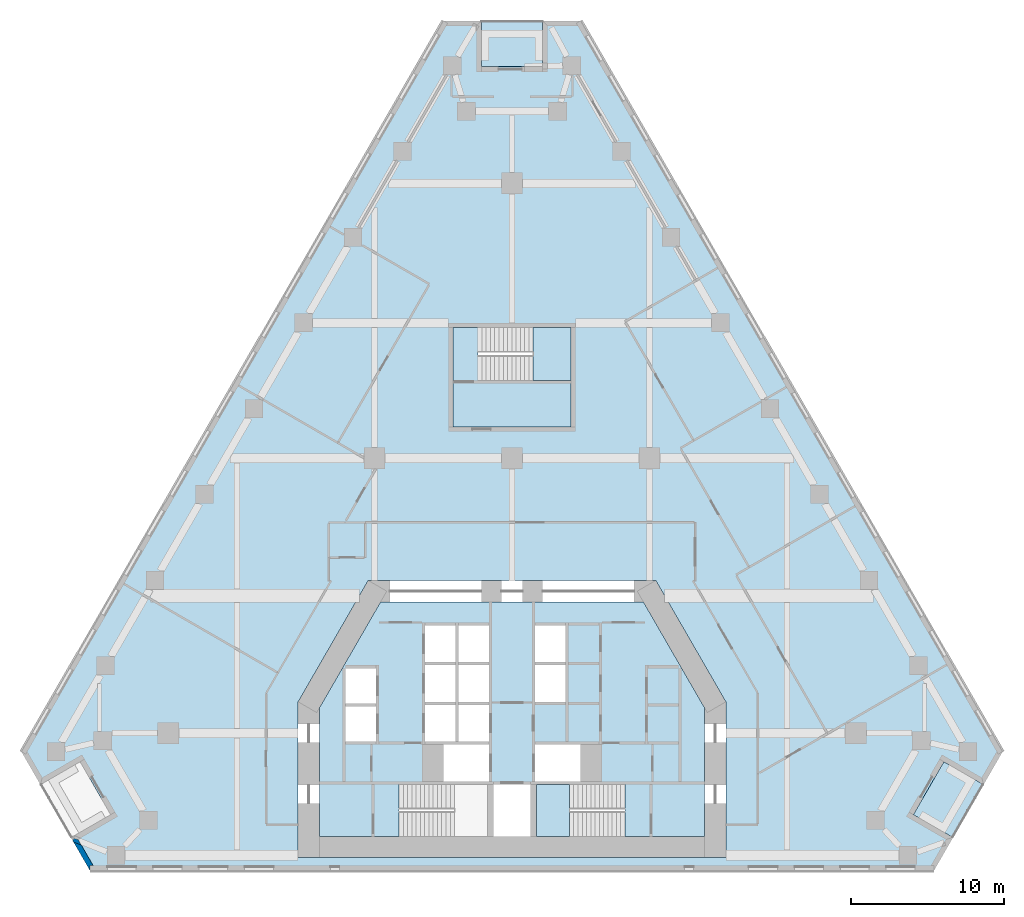
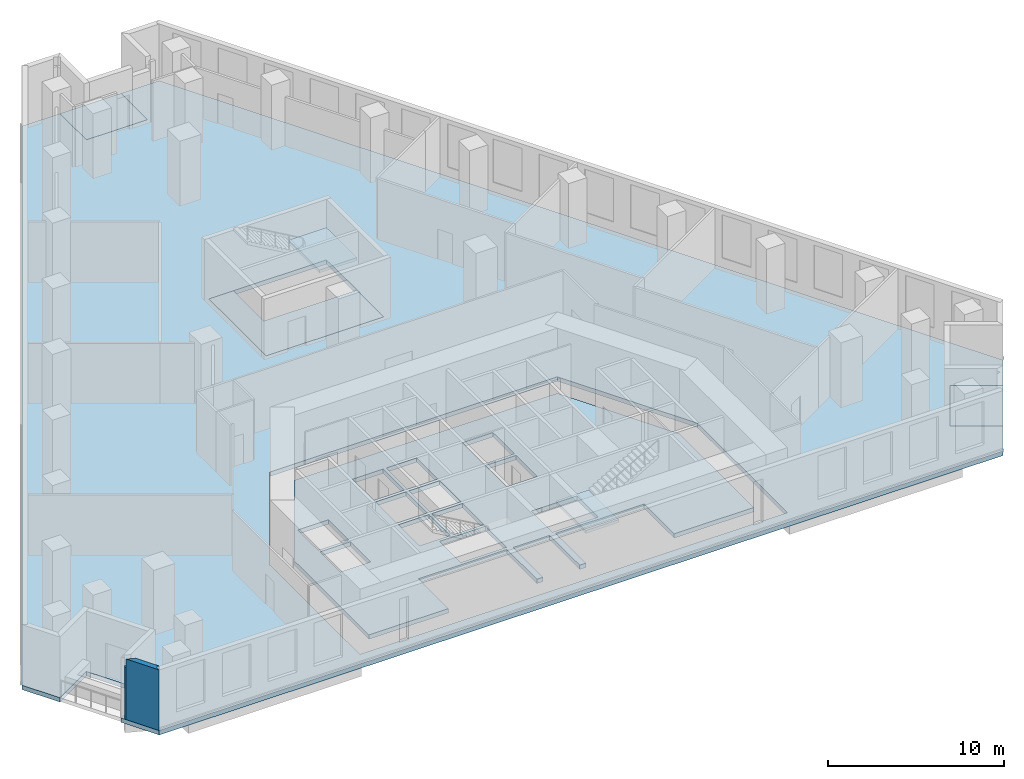
# One storey, part 2 of 10: 7 slabs, 2 walls, 2 elements without a shape of their own.
"""IFC4 building model written with IfcOpenShell, lengths in metres."""

from ifc_helpers import new_model, si_unit, direction, frame, origin, place, context, subcontext, project, spatial, polyline, outline, extrude, material, layer, layer_set, type_object, element, aggregate, save


model = new_model("IFC4")

# Units and contexts
model_context = context("Model", 3, precision=1e-05, world=origin(), true_north=direction((0.0, 1.0)))
body_context = subcontext(model_context, "Body", "Model", "MODEL_VIEW")
ifc_project = project(units=[si_unit("LENGTHUNIT", "METRE"), si_unit("AREAUNIT", "SQUARE_METRE"), si_unit("VOLUMEUNIT", "CUBIC_METRE"), si_unit("PLANEANGLEUNIT", "RADIAN"), si_unit("MASSUNIT", "GRAM", prefix="KILO")], contexts=[model_context])

# Site, building, storey
site_placement = place(None, origin())
site = spatial("IfcSite", under=ifc_project, at=site_placement, CompositionType="ELEMENT")
building_placement = place(site_placement, origin())
building = spatial("IfcBuilding", under=site, at=building_placement, Name="Fogline Exchange Tower", CompositionType="ELEMENT")
storey_placement = place(building_placement, frame((0.0, 0.0, 43.0)))
storey = spatial("IfcBuildingStorey", under=building, at=storey_placement, Name="L08", CompositionType="ELEMENT", Elevation=43.0)

# Slabs
ifc_material_1 = material(Name="Concrete C40", Category="concrete")
ifc_layer_1 = layer(ifc_material_1, 0.25)
ifc_layer_set_1 = layer_set([ifc_layer_1], Name="DK1")
slab_type_1 = type_object("IfcSlabType", Name="DK1", PredefinedType="FLOOR", material=ifc_layer_set_1)
slab_1_placement = place(storey_placement, frame((0.0, 0.0, -0.25)))
element("IfcSlab", 1, at=slab_1_placement, inside=storey, type_object=slab_type_1, Name="Balcony L08 SE", PredefinedType="FLOOR", context=body_context, shape_type="SweptSolid", body=[
    extrude(outline(polyline([(28.877685546875, 2.1650390625), (30.877685546875, 5.629150390625), (28.279541015625, 7.129150390625), (26.279541015625, 3.6650390625), (28.877685546875, 2.1650390625)])), origin(), (0.0, 0.0, 1.0), 0.25),
])
slab_2_placement = place(storey_placement, frame((0.0, 0.0, -0.25)))
element("IfcSlab", 2, at=slab_2_placement, inside=storey, type_object=slab_type_1, Name="Balcony L08 N", PredefinedType="FLOOR", context=body_context, shape_type="SweptSolid", body=[
    extrude(outline(polyline([(2.0, 55.646728515625), (-2.0, 55.646728515625), (-2.0, 52.646728515625), (2.0, 52.646728515625), (2.0, 55.646728515625)])), origin(), (0.0, 0.0, 1.0), 0.25),
])
ifc_layer_2 = layer(ifc_material_1, 0.300048828125)
ifc_layer_set_2 = layer_set([ifc_layer_2], Name="S04")
slab_type_2 = type_object("IfcSlabType", Name="S04", PredefinedType="FLOOR", material=ifc_layer_set_2)
slab_3_placement = place(storey_placement, frame((0.0, 0.0, -0.300048828125)))
element("IfcSlab", 3, at=slab_3_placement, inside=storey, type_object=slab_type_2, Name="SLAB L08", PredefinedType="FLOOR", context=body_context, shape_type="SweptSolid", body=[
    extrude(outline(polyline([(-2.0, 55.646728515625), (-4.5, 55.646728515625), (-32.127685546875, 7.794189453125), (-30.877685546875, 5.629150390625), (-28.279541015625, 7.129150390625), (-26.279541015625, 3.6650390625), (-28.877685546875, 2.1650390625), (-27.627685546875, 0.0), (27.627685546875, 0.0), (28.877685546875, 2.1650390625), (26.279541015625, 3.6650390625), (28.279541015625, 7.129150390625), (30.877685546875, 5.629150390625), (32.127685546875, 7.794189453125), (4.5, 55.646728515625), (2.0, 55.646728515625), (2.0, 52.646728515625), (-2.0, 52.646728515625), (-2.0, 55.646728515625)]), holes=[polyline([(14.0, 11.052490234375), (14.0, 0.85009765625), (-14.0, 0.85009765625), (-14.0, 11.052490234375), (-9.41162109375, 19.0), (9.41162109375, 19.0), (14.0, 11.052490234375)]), polyline([(3.85009765625, 35.556884765625), (3.85009765625, 29.056884765625), (-3.85009765625, 29.056884765625), (-3.85009765625, 35.556884765625), (3.85009765625, 35.556884765625)])]), origin(), (0.0, 0.0, 1.0), 0.300048828125),
])
slab_4_placement = place(storey_placement, frame((0.0, 0.0, -0.300048828125)))
element("IfcSlab", 4, at=slab_4_placement, inside=storey, type_object=slab_type_2, Name="Core floor slab", PredefinedType="FLOOR", context=body_context, shape_type="SweptSolid", body=[
    extrude(outline(polyline([(-12.60009765625, 2.25), (-12.60009765625, 10.677490234375), (-8.603271484375, 17.60009765625), (8.603271484375, 17.60009765625), (12.60009765625, 10.677490234375), (12.60009765625, 2.25), (7.389892578125, 2.25), (7.389892578125, 5.64990234375), (1.60009765625, 5.64990234375), (1.60009765625, 2.25), (1.199951171875, 2.25), (1.199951171875, 5.64990234375), (-1.199951171875, 5.64990234375), (-1.199951171875, 2.25), (-1.60009765625, 2.25), (-1.60009765625, 5.64990234375), (-7.389892578125, 5.64990234375), (-7.389892578125, 2.25), (-12.60009765625, 2.25)]), holes=[polyline([(-1.5, 8.25), (-4.5, 8.25), (-4.5, 5.85009765625), (-1.5, 5.85009765625), (-1.5, 8.25)]), polyline([(-8.89990234375, 10.75), (-10.89990234375, 10.75), (-10.89990234375, 8.449951171875), (-8.89990234375, 8.449951171875), (-8.89990234375, 10.75)]), polyline([(-3.699951171875, 10.85009765625), (-5.699951171875, 10.85009765625), (-5.699951171875, 8.449951171875), (-3.699951171875, 8.449951171875), (-3.699951171875, 10.85009765625)]), polyline([(-1.5, 10.85009765625), (-3.5, 10.85009765625), (-3.5, 8.449951171875), (-1.5, 8.449951171875), (-1.5, 10.85009765625)]), polyline([(-8.89990234375, 13.25), (-10.89990234375, 13.25), (-10.89990234375, 10.949951171875), (-8.89990234375, 10.949951171875), (-8.89990234375, 13.25)]), polyline([(-3.699951171875, 13.449951171875), (-5.699951171875, 13.449951171875), (-5.699951171875, 11.050048828125), (-3.699951171875, 11.050048828125), (-3.699951171875, 13.449951171875)]), polyline([(-3.699951171875, 16.050048828125), (-5.699951171875, 16.050048828125), (-5.699951171875, 13.64990234375), (-3.699951171875, 13.64990234375), (-3.699951171875, 16.050048828125)]), polyline([(4.5, 8.25), (1.5, 8.25), (1.5, 5.85009765625), (4.5, 5.85009765625), (4.5, 8.25)]), polyline([(-1.5, 13.449951171875), (-3.5, 13.449951171875), (-3.5, 11.050048828125), (-1.5, 11.050048828125), (-1.5, 13.449951171875)]), polyline([(3.5, 13.449951171875), (1.5, 13.449951171875), (1.5, 11.050048828125), (3.5, 11.050048828125), (3.5, 13.449951171875)]), polyline([(-1.5, 16.050048828125), (-3.5, 16.050048828125), (-3.5, 13.64990234375), (-1.5, 13.64990234375), (-1.5, 16.050048828125)]), polyline([(3.5, 16.050048828125), (1.5, 16.050048828125), (1.5, 13.64990234375), (3.5, 13.64990234375), (3.5, 16.050048828125)])]), origin(), (0.0, 0.0, 1.0), 0.300048828125),
])
slab_5_placement = place(storey_placement, frame((0.0, 0.0, -0.300048828125)))
element("IfcSlab", 5, at=slab_5_placement, inside=storey, type_object=slab_type_2, Name="Stair enclosure floor slab", PredefinedType="FLOOR", context=body_context, shape_type="SweptSolid", body=[
    extrude(outline(polyline([(3.85009765625, 29.056884765625), (-3.85009765625, 29.056884765625), (-3.85009765625, 35.556884765625), (-2.239990234375, 35.556884765625), (-2.239990234375, 32.10693359375), (3.85009765625, 32.10693359375), (3.85009765625, 29.056884765625)])), origin(), (0.0, 0.0, 1.0), 0.300048828125),
])

# Stair, slab
stair_type = type_object("IfcStairType", Name="STR28-1607", PredefinedType="HALF_TURN_STAIR", material=ifc_material_1)
stair_1_placement = place(storey_placement, origin())
stair_1 = element("IfcStair", 6, at=stair_1_placement, inside=storey, type_object=stair_type, Name="Stair ST2", PredefinedType="HALF_TURN_STAIR")
ifc_layer_3 = layer(ifc_material_1, 0.199951171875)
ifc_layer_set_3 = layer_set([ifc_layer_3], Name="SL200")
slab_type_3 = type_object("IfcSlabType", Name="SL200", PredefinedType="LANDING", material=ifc_layer_set_3)
slab_6_placement = place(storey_placement, frame((0.0, 0.0, 2.050048828125)))
slab_6 = element("IfcSlab", 7, at=slab_6_placement, type_object=slab_type_3, Name="ST2 landing 1", PredefinedType="LANDING", context=body_context, shape_type="SweptSolid", body=[
    extrude(outline(polyline([(1.60009765625, 2.25), (3.760009765625, 2.25), (3.760009765625, 5.64990234375), (1.60009765625, 5.64990234375), (1.60009765625, 2.25)])), origin(), (0.0, 0.0, 1.0), 0.199951171875),
])
aggregate(stair_1, [slab_6])

stair_2_placement = place(storey_placement, origin())
stair_2 = element("IfcStair", 8, at=stair_2_placement, inside=storey, type_object=stair_type, Name="Stair ST3", PredefinedType="HALF_TURN_STAIR")
slab_7_placement = place(storey_placement, frame((0.0, 0.0, 2.050048828125)))
slab_7 = element("IfcSlab", 9, at=slab_7_placement, type_object=slab_type_3, Name="ST3 landing 1", PredefinedType="LANDING", context=body_context, shape_type="SweptSolid", body=[
    extrude(outline(polyline([(1.389892578125, 32.10693359375), (3.85009765625, 32.10693359375), (3.85009765625, 35.556884765625), (1.389892578125, 35.556884765625), (1.389892578125, 32.10693359375)])), origin(), (0.0, 0.0, 1.0), 0.199951171875),
])
aggregate(stair_2, [slab_7])

# Walls
ifc_material_2 = material(Name="Brick masonry", Category="masonry")
ifc_layer_4 = layer(ifc_material_2, 0.340087890625)
ifc_layer_set_4 = layer_set([ifc_layer_4], Name="FW1")
wall_type = type_object("IfcWallType", Name="FW1", PredefinedType="SOLIDWALL", material=ifc_layer_set_4)
wall_1_placement = place(storey_placement, origin())
element("IfcWall", 10, at=wall_1_placement, inside=storey, type_object=wall_type, Name="Brick wall L08 SW-c2", PredefinedType="SOLIDWALL", context=body_context, shape_type="SweptSolid", body=[
    extrude(outline(polyline([(-28.757080078125, 1.955078125), (-28.69384765625, 2.116455078125), (-28.412841796875, 2.041015625), (-28.200927734375, 1.67431640625), (-28.710205078125, 1.8740234375), (-28.757080078125, 1.955078125)])), origin(), (0.0, 0.0, 1.0), 3.60009765625),
])
wall_2_placement = place(storey_placement, origin())
element("IfcWall", 11, at=wall_2_placement, inside=storey, type_object=wall_type, Name="Brick wall L08 SW-c2", PredefinedType="SOLIDWALL", context=body_context, shape_type="SweptSolid", body=[
    extrude(outline(polyline([(-27.626953125, 0.33935546875), (-27.626953125, -0.0009765625), (-27.627685546875, -0.001220703125), (-28.710205078125, 1.8740234375), (-28.200927734375, 1.67431640625), (-27.43017578125, 0.33935546875), (-27.626953125, 0.33935546875)])), origin(), (0.0, 0.0, 1.0), 4.199951171875),
])

save(model, "model.ifc")
